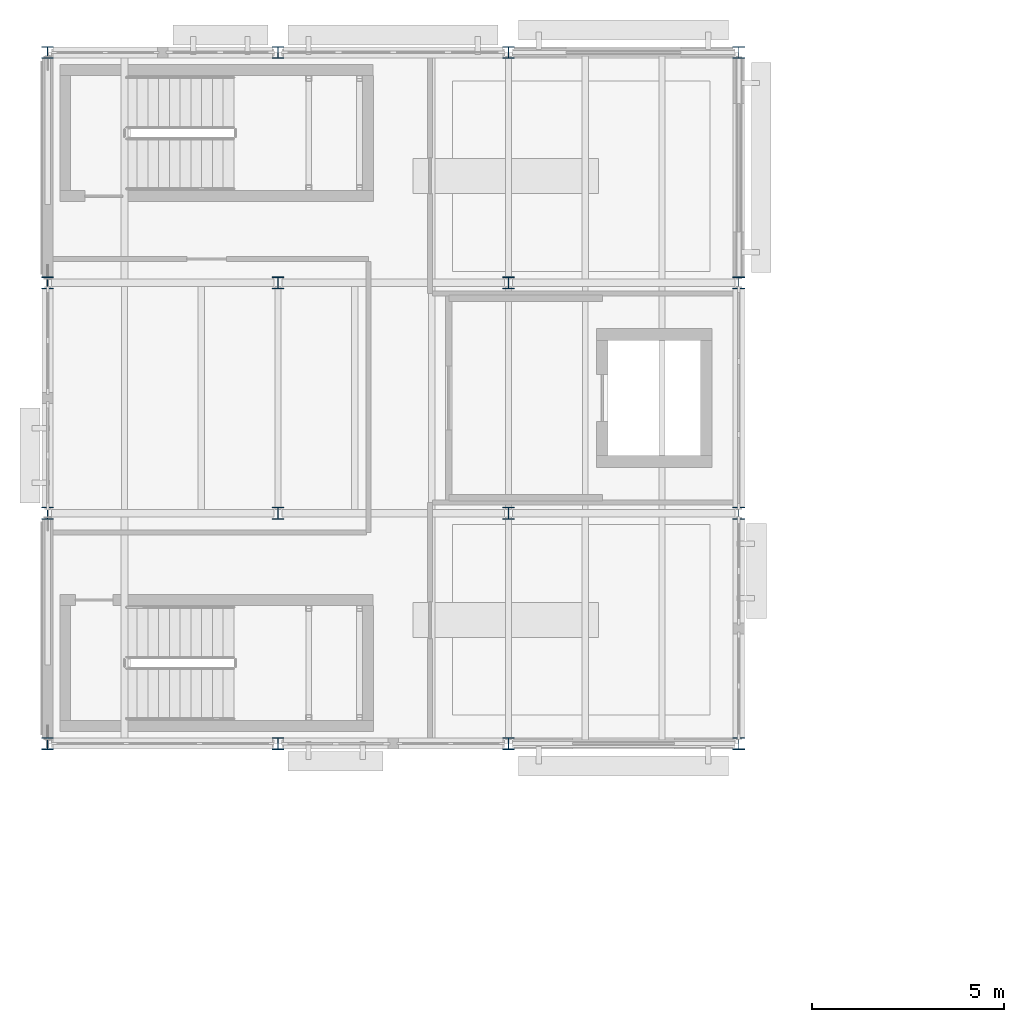
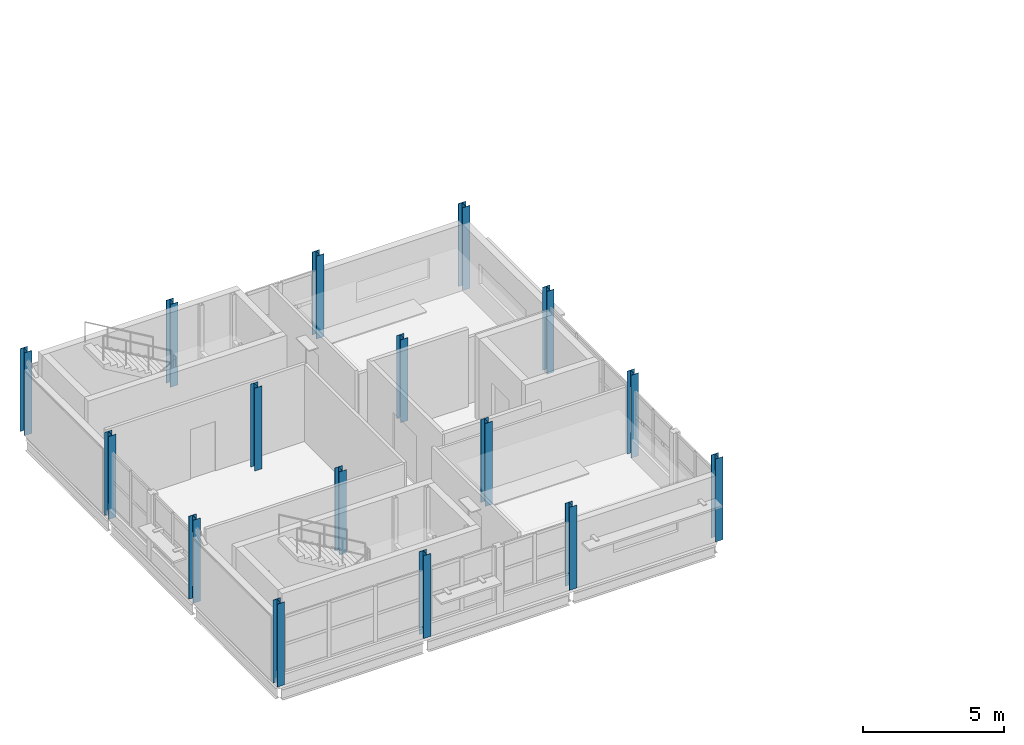
# One storey, part 1 of 20: 16 columns.
"""IFC4 building model written with IfcOpenShell, lengths in metres."""

from ifc_helpers import new_model, si_unit, direction, frame, origin, origin_2d, place, context, subcontext, project, spatial, i_section, extrude, material, material_profile, profile_set, type_object, element, save


model = new_model("IFC4")

# Units and contexts
model_context = context("Model", 3, precision=1e-05, world=origin(), true_north=direction((0.0, 1.0)))
body_context = subcontext(model_context, "Body", "Model", "MODEL_VIEW")
ifc_project = project(units=[si_unit("LENGTHUNIT", "METRE"), si_unit("AREAUNIT", "SQUARE_METRE"), si_unit("VOLUMEUNIT", "CUBIC_METRE"), si_unit("PLANEANGLEUNIT", "RADIAN"), si_unit("MASSUNIT", "GRAM", prefix="KILO")], contexts=[model_context])

# Site, building, storey
site_placement = place(None, origin())
site = spatial("IfcSite", under=ifc_project, at=site_placement, CompositionType="ELEMENT")
building_placement = place(site_placement, origin())
building = spatial("IfcBuilding", under=site, at=building_placement, Name="Siltcreek Boulevard Central Fire Station", CompositionType="ELEMENT")
storey_placement = place(building_placement, frame((0.0, 0.0, 18.0)))
storey = spatial("IfcBuildingStorey", under=building, at=storey_placement, Name="L05", CompositionType="ELEMENT", Elevation=18.0)

# Columns
ifc_material = material(Name="Structural steel ASTM A992 Gr50", Category="steel")
ifc_material_profile = material_profile(ifc_material, i_section(OverallWidth=0.304931640625, OverallDepth=0.30810546875, WebThickness=0.010009765625, FlangeThickness=0.015380859375, at=origin_2d()), Name="W310X97")
ifc_profile_set = profile_set([ifc_material_profile], Name="Structural steel ASTM A992 Gr50")
column_type = type_object("IfcColumnType", Name="COL_W310X97", PredefinedType="COLUMN", material=ifc_profile_set)
for number, where, z_axis, x_axis, name in (
    (1, (42.0, 94.199951171875, 0.0), (0.0, 0.0, 1.0), (1.0, 0.0, 0.0), "L05 structural column COLG-L05-420-942"),
    (2, (42.0, 100.199951171875, 0.0), (0.0, 0.0, 1.0), (1.0, 0.0, 0.0), "L05 structural column COLG-L05-420-1002"),
    (3, (42.0, 106.199951171875, 0.0), (0.0, 0.0, 1.0), (1.0, 0.0, 0.0), "L05 structural column COLG-L05-420-1062"),
    (4, (42.0, 112.199951171875, 0.0), (0.0, 0.0, 1.0), (1.0, 0.0, 0.0), "L05 structural column COLG-L05-420-1122"),
    (5, (48.0, 94.199951171875, 0.0), (0.0, 0.0, 1.0), (1.0, 0.0, 0.0), "L05 structural column COLG-L05-480-942"),
    (6, (48.0, 100.199951171875, 0.0), (0.0, 0.0, 1.0), (1.0, 0.0, 0.0), "L05 structural column COLG-L05-480-1002"),
    (7, (48.0, 106.199951171875, 0.0), (0.0, 0.0, 1.0), (1.0, 0.0, 0.0), "L05 structural column COLG-L05-480-1062"),
    (8, (48.0, 112.199951171875, 0.0), (0.0, 0.0, 1.0), (1.0, 0.0, 0.0), "L05 structural column COLG-L05-480-1122"),
    (9, (54.0, 94.199951171875, 0.0), (0.0, 0.0, 1.0), (1.0, 0.0, 0.0), "L05 structural column COLG-L05-540-942"),
    (10, (54.0, 100.199951171875, 0.0), (0.0, 0.0, 1.0), (1.0, 0.0, 0.0), "L05 structural column COLG-L05-540-1002"),
    (11, (54.0, 106.199951171875, 0.0), (0.0, 0.0, 1.0), (1.0, 0.0, 0.0), "L05 structural column COLG-L05-540-1062"),
    (12, (54.0, 112.199951171875, 0.0), (0.0, 0.0, 1.0), (1.0, 0.0, 0.0), "L05 structural column COLG-L05-540-1122"),
    (13, (60.0, 94.199951171875, 0.0), (0.0, 0.0, 1.0), (1.0, 0.0, 0.0), "L05 structural column COLG-L05-600-942"),
    (14, (60.0, 100.199951171875, 0.0), (0.0, 0.0, 1.0), (1.0, 0.0, 0.0), "L05 structural column COLG-L05-600-1002"),
    (15, (60.0, 106.199951171875, 0.0), (0.0, 0.0, 1.0), (1.0, 0.0, 0.0), "L05 structural column COLG-L05-600-1062"),
    (16, (60.0, 112.199951171875, 0.0), (0.0, 0.0, 1.0), (1.0, 0.0, 0.0), "L05 structural column COLG-L05-600-1122"),
):
    element("IfcColumn", number, at=place(storey_placement, frame(where, z_axis=z_axis, x_axis=x_axis)), inside=storey, type_object=column_type, Name=name, PredefinedType="COLUMN", context=body_context, shape_type="SweptSolid", body=[
        extrude(i_section(OverallWidth=0.304931640625, OverallDepth=0.30810546875, WebThickness=0.010009765625, FlangeThickness=0.015380859375, at=origin_2d()), origin(), (0.0, 0.0, 1.0), 3.60009765625),
    ])

save(model, "model.ifc")
